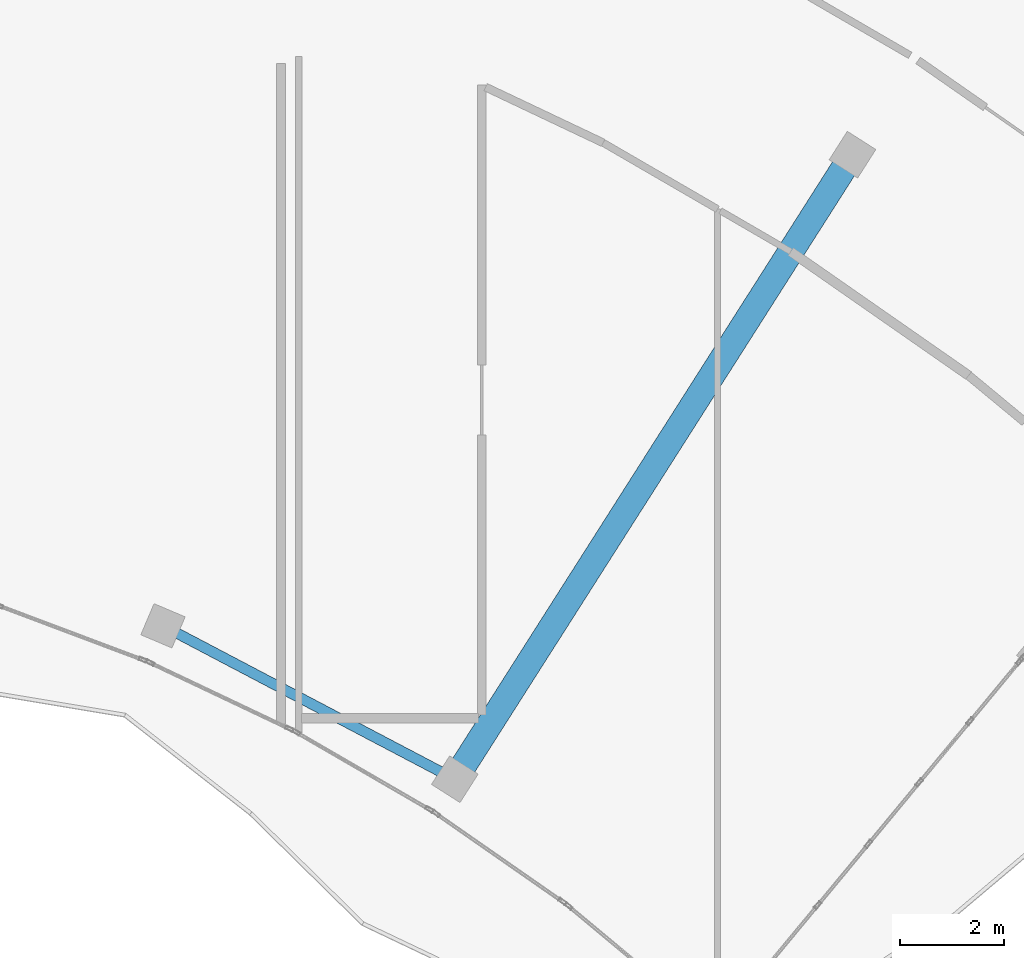
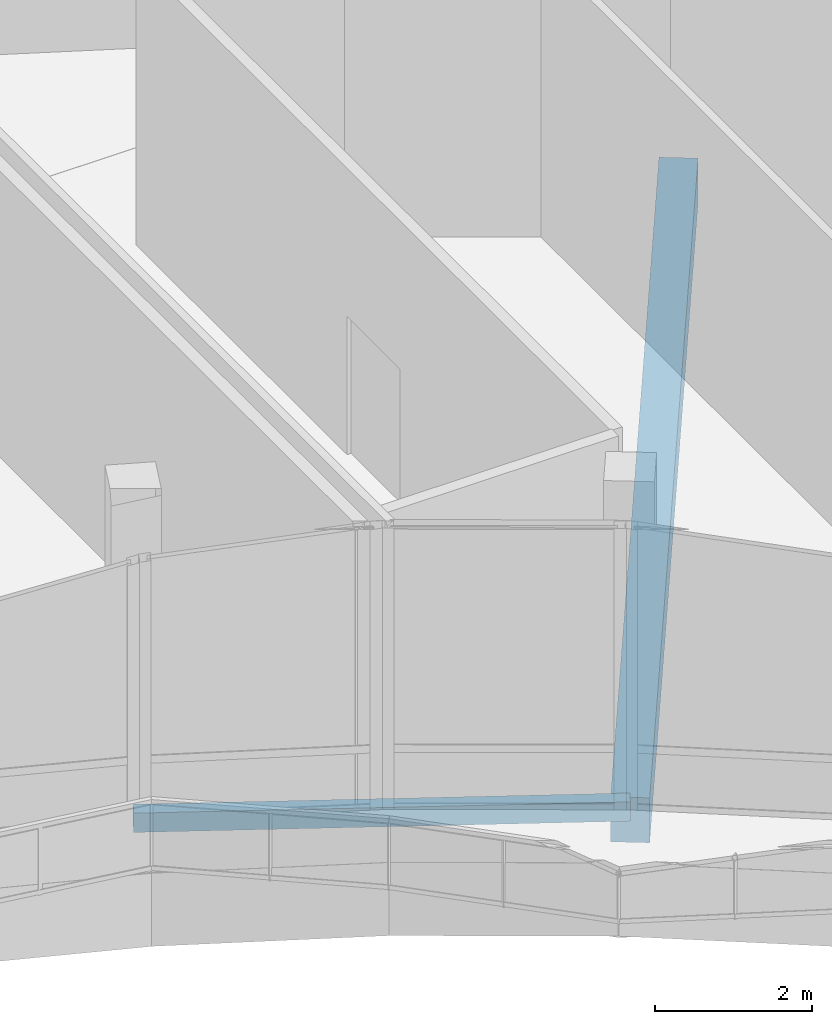
# One storey, part 97 of 155: 2 beams.
"""IFC4 building model written with IfcOpenShell, lengths in metres."""

from ifc_helpers import new_model, si_unit, direction, frame, origin, origin_2d, place, context, subcontext, project, spatial, rectangle, hollow_rectangle, extrude, material, material_profile, profile_set, type_object, element, save


model = new_model("IFC4")

# Units and contexts
model_context = context("Model", 3, precision=1e-05, world=origin(), true_north=direction((0.0, 1.0)))
body_context = subcontext(model_context, "Body", "Model", "MODEL_VIEW")
ifc_project = project(units=[si_unit("LENGTHUNIT", "METRE"), si_unit("AREAUNIT", "SQUARE_METRE"), si_unit("VOLUMEUNIT", "CUBIC_METRE"), si_unit("PLANEANGLEUNIT", "RADIAN"), si_unit("MASSUNIT", "GRAM", prefix="KILO")], contexts=[model_context])

# Site, building, storey
site_placement = place(None, origin())
site = spatial("IfcSite", under=ifc_project, at=site_placement, CompositionType="ELEMENT")
building_placement = place(site_placement, origin())
building = spatial("IfcBuilding", under=site, at=building_placement, Name="Selatvlak General Hospital", CompositionType="ELEMENT")
storey_placement = place(building_placement, frame((0.0, 0.0, 10.199951171875)))
storey = spatial("IfcBuildingStorey", under=building, at=storey_placement, Name="L02", CompositionType="ELEMENT", Elevation=10.199951171875)

# Beams
ifc_material_1 = material(Name="Concrete C40/50", Category="concrete")
ifc_material_profile_1 = material_profile(ifc_material_1, rectangle(XDim=0.5, YDim=0.699951171875, at=origin_2d()), Name="RC-BM 500x700")
ifc_profile_set_1 = profile_set([ifc_material_profile_1], Name="Concrete C40/50")
beam_type_1 = type_object("IfcBeamType", Name="BM-G03", PredefinedType="BEAM", material=ifc_profile_set_1)
beam_1_placement = place(storey_placement, frame((168.197998046875, 60.783935546875, -0.704833984375), z_axis=(-0.537073919926, -0.843535182749, 0.0), x_axis=(0.843535182749, -0.537073919926, 0.0)))
element("IfcBeam", 1, at=beam_1_placement, inside=storey, type_object=beam_type_1, Name="Beam BMR-L02-1123", PredefinedType="BEAM", context=body_context, shape_type="SweptSolid", body=[
    extrude(rectangle(XDim=0.5, YDim=0.699951171875, at=origin_2d()), origin(), (0.0, 0.0, 1.0), 14.24951171875),
])
ifc_material_2 = material(Name="Steel S355", Category="steel")
ifc_material_profile_2 = material_profile(ifc_material_2, hollow_rectangle(XDim=0.199951171875, YDim=0.300048828125, WallThickness=0.011962890625, at=origin_2d()), Name="RHS 300x200x12")
ifc_profile_set_2 = profile_set([ifc_material_profile_2], Name="Steel S355")
beam_type_2 = type_object("IfcBeamType", Name="BM-SP3", PredefinedType="SPANDREL", material=ifc_profile_set_2)
beam_2_placement = place(storey_placement, frame((154.927978515625, 51.716064453125, -0.5048828125), z_axis=(0.885186813572, -0.46523575215, 0.0), x_axis=(0.46523575215, 0.885186813572, 0.0)))
element("IfcBeam", 2, at=beam_2_placement, inside=storey, type_object=beam_type_2, Name="Beam BMR-L02-1153", PredefinedType="SPANDREL", context=body_context, shape_type="SweptSolid", body=[
    extrude(hollow_rectangle(XDim=0.199951171875, YDim=0.300048828125, WallThickness=0.011962890625, at=origin_2d()), origin(), (0.0, 0.0, 1.0), 6.345458984375),
])

save(model, "model.ifc")
